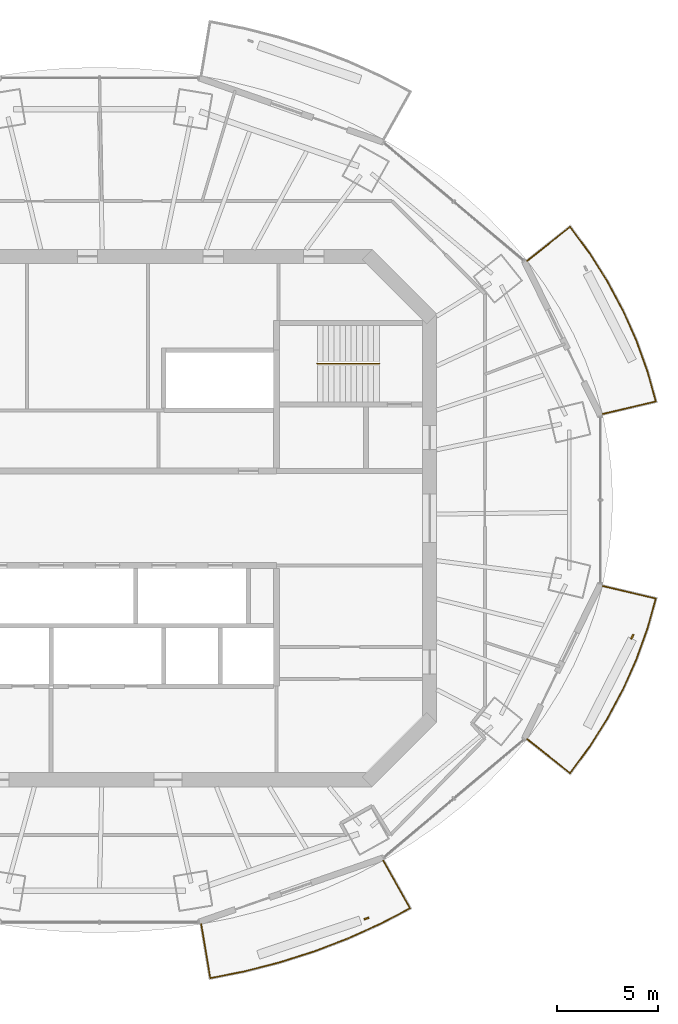
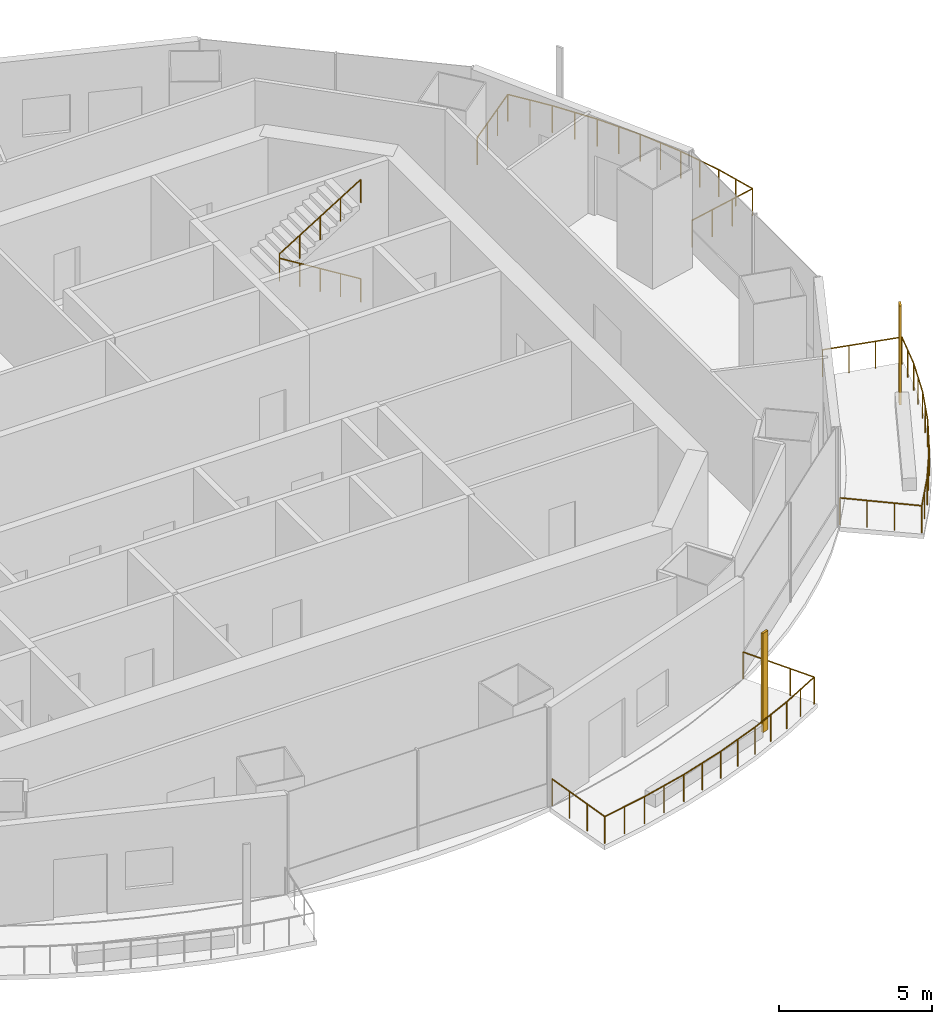
# One storey, part 13 of 15: 4 railings, 2 shading devices.
"""IFC4 building model written with IfcOpenShell, lengths in metres."""

from ifc_helpers import new_model, si_unit, direction, frame, origin, origin_2d, place, context, subcontext, project, spatial, rectangle, circle, extrude, material, material_profile, profile_set, type_object, element, save


model = new_model("IFC4")

# Units and contexts
model_context = context("Model", 3, precision=1e-05, world=origin(), true_north=direction((0.0, 1.0)))
body_context = subcontext(model_context, "Body", "Model", "MODEL_VIEW")
ifc_project = project(units=[si_unit("LENGTHUNIT", "METRE"), si_unit("AREAUNIT", "SQUARE_METRE"), si_unit("VOLUMEUNIT", "CUBIC_METRE"), si_unit("PLANEANGLEUNIT", "RADIAN"), si_unit("MASSUNIT", "GRAM", prefix="KILO")], contexts=[model_context])

# Site, building, storey
site_placement = place(None, origin())
site = spatial("IfcSite", under=ifc_project, at=site_placement, CompositionType="ELEMENT")
building_placement = place(site_placement, origin())
building = spatial("IfcBuilding", under=site, at=building_placement, Name="Marenthal Gate Tower", CompositionType="ELEMENT")
storey_placement = place(building_placement, frame((0.0, 0.0, 388.25)))
storey = spatial("IfcBuildingStorey", under=building, at=storey_placement, Name="L88", CompositionType="ELEMENT", Elevation=388.25)

# Railings
ifc_material_1 = material(Name="Stainless steel", Category="steel")
railing_type_1 = type_object("IfcRailingType", Name="Balcony guard 1100", PredefinedType="GUARDRAIL", material=ifc_material_1)
railing_1_placement = place(storey_placement, frame((20.852294921875, 12.781982421875, 0.0)))
element("IfcRailing", 1, at=railing_1_placement, inside=storey, type_object=railing_type_1, Name="Balcony guard L88 bay 1", PredefinedType="GUARDRAIL", context=body_context, shape_type="SweptSolid", body=[
    extrude(circle(Radius=0.02392578125, at=origin_2d()), frame((0.0, 0.0, 1.076171875), z_axis=(0.783926319527, 0.620679384756, -0.014718250304), x_axis=(-0.620746623604, 0.784011243085, 0.0)), (0.0, 0.0, 1.0), 2.720458984375),
    extrude(circle(Radius=0.02392578125, at=origin_2d()), frame((2.132568359375, 1.6884765625, 1.0361328125), z_axis=(0.592007425155, -0.805932508689, 0.0), x_axis=(0.805932508689, 0.592007425155, 0.0)), (0.0, 0.0, 1.0), 1.59423828125),
    extrude(circle(Radius=0.02392578125, at=origin_2d()), frame((3.076416015625, 0.403564453125, 1.0361328125), z_axis=(0.53537343379, -0.844615466583, 0.0), x_axis=(0.844615466583, 0.53537343379, 0.0)), (0.0, 0.0, 1.0), 1.66259765625),
    extrude(circle(Radius=0.02392578125, at=origin_2d()), frame((3.966552734375, -1.000732421875, 1.0361328125), z_axis=(0.473324157966, -0.880888325207, 0.0), x_axis=(0.880888325207, 0.473324157966, 0.0)), (0.0, 0.0, 1.0), 1.652099609375),
    extrude(circle(Radius=0.02392578125, at=origin_2d()), frame((4.74853515625, -2.4560546875, 1.0361328125), z_axis=(0.407489302834, -0.913209980276, 0.0), x_axis=(0.913209980276, 0.407489302834, 0.0)), (0.0, 0.0, 1.0), 1.642822265625),
    extrude(circle(Radius=0.02392578125, at=origin_2d()), frame((5.41796875, -3.956298828125, 1.0361328125), z_axis=(0.338587245769, -0.940935001476, 0.0), x_axis=(0.940935001476, 0.338587245769, 0.0)), (0.0, 0.0, 1.0), 1.634521484375),
    extrude(circle(Radius=0.02392578125, at=origin_2d()), frame((5.971435546875, -5.494384765625, 1.0361328125), z_axis=(0.268237537757, -0.963352803151, 0.0), x_axis=(0.963352803151, 0.268237537757, 0.0)), (0.0, 0.0, 1.0), 1.548095703125),
    extrude(circle(Radius=0.02392578125, at=origin_2d()), frame((6.38671875, -6.98583984375, 1.0361328125), z_axis=(-0.973242229013, -0.229309654659, 0.014718897598), x_axis=(0.2293344982, -0.973347670637, 0.0)), (0.0, 0.0, 1.0), 2.72021484375),
    extrude(circle(Radius=0.02099609375, at=origin_2d()), origin(), (0.0, 0.0, 1.0), 1.052001953125),
    extrude(circle(Radius=0.02099609375, at=origin_2d()), frame((0.7109375, 0.562744140625, -0.013427734375)), (0.0, 0.0, 1.0), 1.052001953125),
    extrude(circle(Radius=0.02099609375, at=origin_2d()), frame((1.421630859375, 1.125732421875, -0.026611328125)), (0.0, 0.0, 1.0), 1.052001953125),
    extrude(circle(Radius=0.02099609375, at=origin_2d()), frame((2.132568359375, 1.6884765625, -0.0400390625)), (0.0, 0.0, 1.0), 1.052001953125),
    extrude(circle(Radius=0.02099609375, at=origin_2d()), frame((2.6044921875, 1.0458984375, -0.0400390625)), (0.0, 0.0, 1.0), 1.052001953125),
    extrude(circle(Radius=0.02099609375, at=origin_2d()), frame((3.076416015625, 0.403564453125, -0.0400390625)), (0.0, 0.0, 1.0), 1.052001953125),
    extrude(circle(Radius=0.02099609375, at=origin_2d()), frame((3.521484375, -0.298583984375, -0.0400390625)), (0.0, 0.0, 1.0), 1.052001953125),
    extrude(circle(Radius=0.02099609375, at=origin_2d()), frame((3.966552734375, -1.000732421875, -0.0400390625)), (0.0, 0.0, 1.0), 1.052001953125),
    extrude(circle(Radius=0.02099609375, at=origin_2d()), frame((4.357421875, -1.728515625, -0.0400390625)), (0.0, 0.0, 1.0), 1.052001953125),
    extrude(circle(Radius=0.02099609375, at=origin_2d()), frame((4.74853515625, -2.4560546875, -0.0400390625)), (0.0, 0.0, 1.0), 1.052001953125),
    extrude(circle(Radius=0.02099609375, at=origin_2d()), frame((5.083251953125, -3.2060546875, -0.0400390625)), (0.0, 0.0, 1.0), 1.052001953125),
    extrude(circle(Radius=0.02099609375, at=origin_2d()), frame((5.41796875, -3.956298828125, -0.0400390625)), (0.0, 0.0, 1.0), 1.052001953125),
    extrude(circle(Radius=0.02099609375, at=origin_2d()), frame((5.69482421875, -4.725341796875, -0.0400390625)), (0.0, 0.0, 1.0), 1.052001953125),
    extrude(circle(Radius=0.02099609375, at=origin_2d()), frame((5.971435546875, -5.494384765625, -0.0400390625)), (0.0, 0.0, 1.0), 1.052001953125),
    extrude(circle(Radius=0.02099609375, at=origin_2d()), frame((6.17919921875, -6.240234375, -0.0400390625)), (0.0, 0.0, 1.0), 1.052001953125),
    extrude(circle(Radius=0.02099609375, at=origin_2d()), frame((6.38671875, -6.98583984375, -0.0400390625)), (0.0, 0.0, 1.0), 1.052001953125),
    extrude(circle(Radius=0.02099609375, at=origin_2d()), frame((5.504150390625, -7.19384765625, -0.026611328125)), (0.0, 0.0, 1.0), 1.052001953125),
    extrude(circle(Radius=0.02099609375, at=origin_2d()), frame((4.621826171875, -7.401611328125, -0.013427734375)), (0.0, 0.0, 1.0), 1.052001953125),
    extrude(circle(Radius=0.02099609375, at=origin_2d()), frame((3.7392578125, -7.609619140625, 0.0)), (0.0, 0.0, 1.0), 1.052001953125),
])
railing_2_placement = place(storey_placement, frame((13.697265625, -17.015869140625, 0.0)))
element("IfcRailing", 2, at=railing_2_placement, inside=storey, type_object=railing_type_1, Name="Balcony guard L88 bay 13", PredefinedType="GUARDRAIL", context=body_context, shape_type="SweptSolid", body=[
    extrude(circle(Radius=0.02392578125, at=origin_2d()), frame((0.0, 0.0, 1.076171875), z_axis=(0.491196386037, -0.87092448933, -0.014718839267), x_axis=(0.871018845044, 0.491249602115, 0.0)), (0.0, 0.0, 1.0), 2.72021484375),
    extrude(circle(Radius=0.02392578125, at=origin_2d()), frame((1.336181640625, -2.369140625, 1.0361328125), z_axis=(-0.88630797914, -0.463096281688, 0.0), x_axis=(0.463096281688, -0.88630797914, 0.0)), (0.0, 0.0, 1.0), 1.683349609375),
    extrude(circle(Radius=0.02392578125, at=origin_2d()), frame((-0.15576171875, -3.148681640625, 1.0361328125), z_axis=(-0.911620111455, -0.411033784975, 0.0), x_axis=(0.411033784975, -0.911620111455, 0.0)), (0.0, 0.0, 1.0), 1.774658203125),
    extrude(circle(Radius=0.02392578125, at=origin_2d()), frame((-1.773681640625, -3.878173828125, 1.0361328125), z_axis=(-0.934164510517, -0.356842636594, 0.0), x_axis=(0.356842636594, -0.934164510517, 0.0)), (0.0, 0.0, 1.0), 1.784912109375),
    extrude(circle(Radius=0.02392578125, at=origin_2d()), frame((-3.441162109375, -4.51513671875, 1.0361328125), z_axis=(-0.95315602873, -0.30247906522, 0.0), x_axis=(0.30247906522, -0.95315602873, 0.0)), (0.0, 0.0, 1.0), 1.794189453125),
    extrude(circle(Radius=0.02392578125, at=origin_2d()), frame((-5.1513671875, -5.057861328125, 1.0361328125), z_axis=(-0.968789088547, -0.247886469804, 0.0), x_axis=(0.247886469804, -0.968789088547, 0.0)), (0.0, 0.0, 1.0), 1.80224609375),
    extrude(circle(Radius=0.02392578125, at=origin_2d()), frame((-6.8974609375, -5.504638671875, 1.0361328125), z_axis=(-0.980964438723, -0.194187460876, 0.0), x_axis=(0.194187460876, -0.980964438723, 0.0)), (0.0, 0.0, 1.0), 1.728759765625),
    extrude(circle(Radius=0.02392578125, at=origin_2d()), frame((-8.59326171875, -5.84033203125, 1.0361328125), z_axis=(-0.16548710572, 0.986102124538, 0.014717942157), x_axis=(-0.98620894554, -0.16550503236, 0.0)), (0.0, 0.0, 1.0), 2.720458984375),
    extrude(circle(Radius=0.02099609375, at=origin_2d()), origin(), (0.0, 0.0, 1.0), 1.052001953125),
    extrude(circle(Radius=0.02099609375, at=origin_2d()), frame((0.4453125, -0.789794921875, -0.013427734375)), (0.0, 0.0, 1.0), 1.052001953125),
    extrude(circle(Radius=0.02099609375, at=origin_2d()), frame((0.890869140625, -1.579345703125, -0.026611328125)), (0.0, 0.0, 1.0), 1.052001953125),
    extrude(circle(Radius=0.02099609375, at=origin_2d()), frame((1.336181640625, -2.369140625, -0.0400390625)), (0.0, 0.0, 1.0), 1.052001953125),
    extrude(circle(Radius=0.02099609375, at=origin_2d()), frame((0.59033203125, -2.7587890625, -0.0400390625)), (0.0, 0.0, 1.0), 1.052001953125),
    extrude(circle(Radius=0.02099609375, at=origin_2d()), frame((-0.15576171875, -3.148681640625, -0.0400390625)), (0.0, 0.0, 1.0), 1.052001953125),
    extrude(circle(Radius=0.02099609375, at=origin_2d()), frame((-0.96484375, -3.513427734375, -0.0400390625)), (0.0, 0.0, 1.0), 1.052001953125),
    extrude(circle(Radius=0.02099609375, at=origin_2d()), frame((-1.773681640625, -3.878173828125, -0.0400390625)), (0.0, 0.0, 1.0), 1.052001953125),
    extrude(circle(Radius=0.02099609375, at=origin_2d()), frame((-2.607421875, -4.19677734375, -0.0400390625)), (0.0, 0.0, 1.0), 1.052001953125),
    extrude(circle(Radius=0.02099609375, at=origin_2d()), frame((-3.441162109375, -4.51513671875, -0.0400390625)), (0.0, 0.0, 1.0), 1.052001953125),
    extrude(circle(Radius=0.02099609375, at=origin_2d()), frame((-4.29638671875, -4.78662109375, -0.0400390625)), (0.0, 0.0, 1.0), 1.052001953125),
    extrude(circle(Radius=0.02099609375, at=origin_2d()), frame((-5.1513671875, -5.057861328125, -0.0400390625)), (0.0, 0.0, 1.0), 1.052001953125),
    extrude(circle(Radius=0.02099609375, at=origin_2d()), frame((-6.0244140625, -5.28125, -0.0400390625)), (0.0, 0.0, 1.0), 1.052001953125),
    extrude(circle(Radius=0.02099609375, at=origin_2d()), frame((-6.8974609375, -5.504638671875, -0.0400390625)), (0.0, 0.0, 1.0), 1.052001953125),
    extrude(circle(Radius=0.02099609375, at=origin_2d()), frame((-7.745361328125, -5.67236328125, -0.0400390625)), (0.0, 0.0, 1.0), 1.052001953125),
    extrude(circle(Radius=0.02099609375, at=origin_2d()), frame((-8.59326171875, -5.84033203125, -0.0400390625)), (0.0, 0.0, 1.0), 1.052001953125),
    extrude(circle(Radius=0.02099609375, at=origin_2d()), frame((-8.743408203125, -4.946044921875, -0.026611328125)), (0.0, 0.0, 1.0), 1.052001953125),
    extrude(circle(Radius=0.02099609375, at=origin_2d()), frame((-8.893310546875, -4.052001953125, -0.013427734375)), (0.0, 0.0, 1.0), 1.052001953125),
    extrude(circle(Radius=0.02099609375, at=origin_2d()), frame((-9.04345703125, -3.15771484375, 0.0)), (0.0, 0.0, 1.0), 1.052001953125),
])
railing_3_placement = place(storey_placement, frame((24.591552734375, -3.372314453125, 0.0)))
element("IfcRailing", 3, at=railing_3_placement, inside=storey, type_object=railing_type_1, Name="Balcony guard L88 bay 15", PredefinedType="GUARDRAIL", context=body_context, shape_type="SweptSolid", body=[
    extrude(circle(Radius=0.02392578125, at=origin_2d()), frame((0.0, 0.0, 1.076171875), z_axis=(0.973242229013, -0.229309654659, -0.014718897598), x_axis=(0.2293344982, 0.973347670637, 0.0)), (0.0, 0.0, 1.0), 2.72021484375),
    extrude(circle(Radius=0.02392578125, at=origin_2d()), frame((2.6474609375, -0.623779296875, 1.0361328125), z_axis=(-0.268237537757, -0.963352803151, 0.0), x_axis=(0.963352803151, -0.268237537757, 0.0)), (0.0, 0.0, 1.0), 1.548095703125),
    extrude(circle(Radius=0.02392578125, at=origin_2d()), frame((2.232177734375, -2.115234375, 1.0361328125), z_axis=(-0.338587245769, -0.940935001476, 0.0), x_axis=(0.940935001476, -0.338587245769, 0.0)), (0.0, 0.0, 1.0), 1.634521484375),
    extrude(circle(Radius=0.02392578125, at=origin_2d()), frame((1.6787109375, -3.6533203125, 1.0361328125), z_axis=(-0.407489302834, -0.913209980276, 0.0), x_axis=(0.913209980276, -0.407489302834, 0.0)), (0.0, 0.0, 1.0), 1.642822265625),
    extrude(circle(Radius=0.02392578125, at=origin_2d()), frame((1.00927734375, -5.153564453125, 1.0361328125), z_axis=(-0.473324157966, -0.880888325207, 0.0), x_axis=(0.880888325207, -0.473324157966, 0.0)), (0.0, 0.0, 1.0), 1.652099609375),
    extrude(circle(Radius=0.02392578125, at=origin_2d()), frame((0.227294921875, -6.60888671875, 1.0361328125), z_axis=(-0.535307042217, -0.844657546318, 0.0), x_axis=(0.844657546318, -0.535307042217, 0.0)), (0.0, 0.0, 1.0), 1.662841796875),
    extrude(circle(Radius=0.02392578125, at=origin_2d()), frame((-0.662841796875, -8.013427734375, 1.0361328125), z_axis=(-0.592080493668, -0.805878830233, 0.0), x_axis=(0.805878830233, -0.592080493668, 0.0)), (0.0, 0.0, 1.0), 1.59423828125),
    extrude(circle(Radius=0.02392578125, at=origin_2d()), frame((-1.606689453125, -9.298095703125, 1.0361328125), z_axis=(-0.783969987174, 0.620624208507, 0.014719070166), x_axis=(-0.620691448869, -0.784054924926, 0.0)), (0.0, 0.0, 1.0), 2.72021484375),
    extrude(circle(Radius=0.02099609375, at=origin_2d()), origin(), (0.0, 0.0, 1.0), 1.052001953125),
    extrude(circle(Radius=0.02099609375, at=origin_2d()), frame((0.882568359375, -0.2080078125, -0.013427734375)), (0.0, 0.0, 1.0), 1.052001953125),
    extrude(circle(Radius=0.02099609375, at=origin_2d()), frame((1.764892578125, -0.415771484375, -0.026611328125)), (0.0, 0.0, 1.0), 1.052001953125),
    extrude(circle(Radius=0.02099609375, at=origin_2d()), frame((2.6474609375, -0.623779296875, -0.0400390625)), (0.0, 0.0, 1.0), 1.052001953125),
    extrude(circle(Radius=0.02099609375, at=origin_2d()), frame((2.43994140625, -1.36962890625, -0.0400390625)), (0.0, 0.0, 1.0), 1.052001953125),
    extrude(circle(Radius=0.02099609375, at=origin_2d()), frame((2.232177734375, -2.115234375, -0.0400390625)), (0.0, 0.0, 1.0), 1.052001953125),
    extrude(circle(Radius=0.02099609375, at=origin_2d()), frame((1.95556640625, -2.88427734375, -0.0400390625)), (0.0, 0.0, 1.0), 1.052001953125),
    extrude(circle(Radius=0.02099609375, at=origin_2d()), frame((1.6787109375, -3.6533203125, -0.0400390625)), (0.0, 0.0, 1.0), 1.052001953125),
    extrude(circle(Radius=0.02099609375, at=origin_2d()), frame((1.343994140625, -4.4033203125, -0.0400390625)), (0.0, 0.0, 1.0), 1.052001953125),
    extrude(circle(Radius=0.02099609375, at=origin_2d()), frame((1.00927734375, -5.153564453125, -0.0400390625)), (0.0, 0.0, 1.0), 1.052001953125),
    extrude(circle(Radius=0.02099609375, at=origin_2d()), frame((0.6181640625, -5.88134765625, -0.0400390625)), (0.0, 0.0, 1.0), 1.052001953125),
    extrude(circle(Radius=0.02099609375, at=origin_2d()), frame((0.227294921875, -6.60888671875, -0.0400390625)), (0.0, 0.0, 1.0), 1.052001953125),
    extrude(circle(Radius=0.02099609375, at=origin_2d()), frame((-0.2177734375, -7.31103515625, -0.0400390625)), (0.0, 0.0, 1.0), 1.052001953125),
    extrude(circle(Radius=0.02099609375, at=origin_2d()), frame((-0.662841796875, -8.013427734375, -0.0400390625)), (0.0, 0.0, 1.0), 1.052001953125),
    extrude(circle(Radius=0.02099609375, at=origin_2d()), frame((-1.134765625, -8.65576171875, -0.0400390625)), (0.0, 0.0, 1.0), 1.052001953125),
    extrude(circle(Radius=0.02099609375, at=origin_2d()), frame((-1.606689453125, -9.298095703125, -0.0400390625)), (0.0, 0.0, 1.0), 1.052001953125),
    extrude(circle(Radius=0.02099609375, at=origin_2d()), frame((-2.317626953125, -8.7353515625, -0.026611328125)), (0.0, 0.0, 1.0), 1.052001953125),
    extrude(circle(Radius=0.02099609375, at=origin_2d()), frame((-3.0283203125, -8.172607421875, -0.013427734375)), (0.0, 0.0, 1.0), 1.052001953125),
    extrude(circle(Radius=0.02099609375, at=origin_2d()), frame((-3.7392578125, -7.60986328125, 0.0)), (0.0, 0.0, 1.0), 1.052001953125),
])
ifc_material_2 = material(Name="Stainless steel", Category="steel")
railing_type_2 = type_object("IfcRailingType", Name="Stair handrail", PredefinedType="HANDRAIL", material=ifc_material_2)
railing_4_placement = place(storey_placement, frame((13.5, 7.675048828125, 0.1728515625)))
element("IfcRailing", 4, at=railing_4_placement, inside=storey, type_object=railing_type_2, Name="Handrail ST3", PredefinedType="HANDRAIL", context=body_context, shape_type="SweptSolid", body=[
    extrude(circle(Radius=0.0224609375, at=origin_2d()), frame((0.0, 0.0, 0.927490234375), z_axis=(-0.850835241893, 0.0, 0.525432575268), x_axis=(0.0, -1.0, 0.0)), (0.0, 0.0, 1.0), 3.6201171875),
    extrude(circle(Radius=0.0224609375, at=origin_2d()), frame((-3.080078125, 0.0, 2.82958984375), z_axis=(0.0, 0.0, 1.0), x_axis=(1.0, 0.0, 0.0)), (0.0, 0.0, 1.0), 0.1728515625),
    extrude(circle(Radius=0.0224609375, at=origin_2d()), frame((-3.080078125, 0.0, 3.00244140625), z_axis=(0.850835241893, 0.0, 0.525432575268), x_axis=(0.0, 1.0, 0.0)), (0.0, 0.0, 1.0), 3.6201171875),
    extrude(circle(Radius=0.02001953125, at=origin_2d()), origin(), (0.0, 0.0, 1.0), 0.905029296875),
    extrude(circle(Radius=0.02001953125, at=origin_2d()), frame((-0.77001953125, 0.0, 0.4755859375)), (0.0, 0.0, 1.0), 0.905029296875),
    extrude(circle(Radius=0.02001953125, at=origin_2d()), frame((-1.5400390625, 0.0, 0.951171875)), (0.0, 0.0, 1.0), 0.905029296875),
    extrude(circle(Radius=0.02001953125, at=origin_2d()), frame((-2.31005859375, 0.0, 1.426513671875)), (0.0, 0.0, 1.0), 0.905029296875),
    extrude(circle(Radius=0.02001953125, at=origin_2d()), frame((-3.080078125, 0.0, 1.902099609375)), (0.0, 0.0, 1.0), 0.905029296875),
    extrude(circle(Radius=0.02001953125, at=origin_2d()), frame((-3.080078125, 0.0, 2.074951171875)), (0.0, 0.0, 1.0), 0.905029296875),
    extrude(circle(Radius=0.02001953125, at=origin_2d()), frame((-2.31005859375, 0.0, 2.550537109375)), (0.0, 0.0, 1.0), 0.905029296875),
    extrude(circle(Radius=0.02001953125, at=origin_2d()), frame((-1.5400390625, 0.0, 3.02587890625)), (0.0, 0.0, 1.0), 0.905029296875),
    extrude(circle(Radius=0.02001953125, at=origin_2d()), frame((-0.77001953125, 0.0, 3.50146484375)), (0.0, 0.0, 1.0), 0.905029296875),
    extrude(circle(Radius=0.02001953125, at=origin_2d()), frame((0.0, 0.0, 3.97705078125)), (0.0, 0.0, 1.0), 0.905029296875),
])

# Shading devices
ifc_material_3 = material(Name="Terracotta", Category="masonry")
ifc_material_profile = material_profile(ifc_material_3, rectangle(XDim=0.25, YDim=0.080078125, at=origin_2d()), Name="Terracotta baguette 250x80")
ifc_profile_set = profile_set([ifc_material_profile], Name="Terracotta")
shading_device_type = type_object("IfcShadingDeviceType", Name="Terracotta BAGUETTE SCREEN 250x80", PredefinedType="USERDEFINED", material=ifc_profile_set)
for number, where, z_axis, x_axis, name in (
    (5, (12.864990234375, -19.89501953125, -0.0400390625), (0.0, 0.0, 1.0), (0.944044940534, 0.329816843494, 0.0), "Terracotta BAGUETTE L88 bay 13R"),
    (6, (26.071533203125, -5.892822265625, -0.0400390625), (0.0, 0.0, 1.0), (0.440810069048, 0.897600402755, 0.0), "Terracotta BAGUETTE L88 bay 15R"),
):
    element("IfcShadingDevice", number, at=place(storey_placement, frame(where, z_axis=z_axis, x_axis=x_axis)), inside=storey, type_object=shading_device_type, Name=name, ObjectType="BAGUETTE SCREEN", PredefinedType="USERDEFINED", context=body_context, shape_type="SweptSolid", body=[
        extrude(rectangle(XDim=0.25, YDim=0.080078125, at=origin_2d()), origin(), (0.0, 0.0, 1.0), 3.969970703125),
    ])

save(model, "model.ifc")
